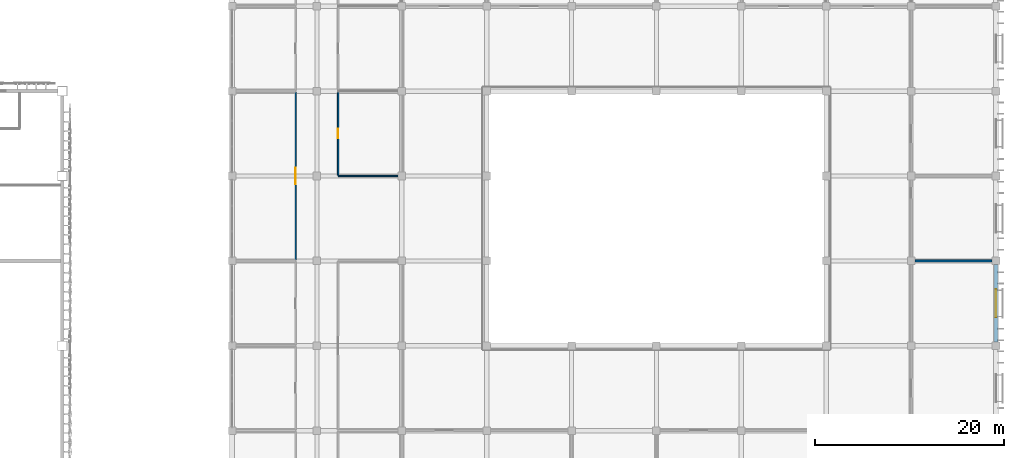
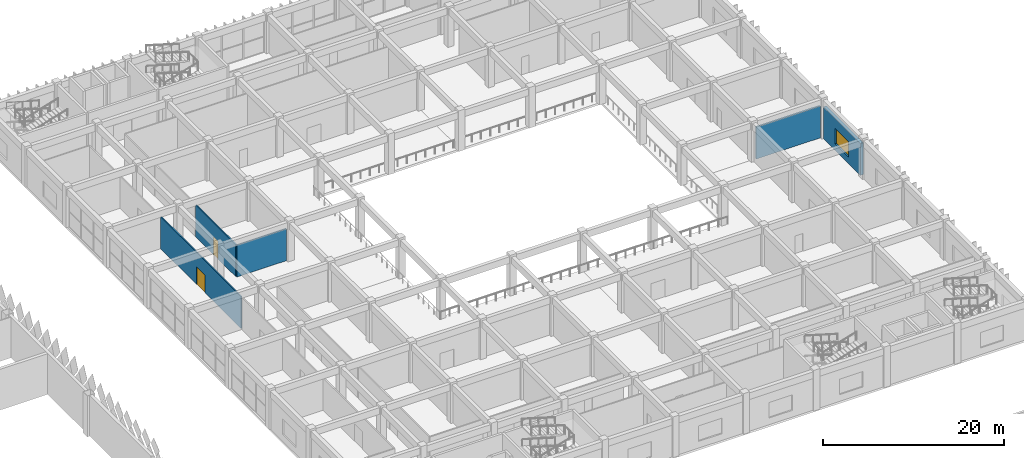
# One storey, part 125 of 185: 5 walls, 2 doors, 1 window, 3 openings.
"""IFC4 building model written with IfcOpenShell, lengths in metres."""

from ifc_helpers import new_model, si_unit, direction, frame, frame_2d, origin, place, context, subcontext, project, spatial, rectangle, extrude, material, layer, layer_set, type_object, element, fill, save


model = new_model("IFC4")

# Units and contexts
model_context = context("Model", 3, precision=1e-05, world=origin(), true_north=direction((0.0, 1.0)))
body_context = subcontext(model_context, "Body", "Model", "MODEL_VIEW")
ifc_project = project(units=[si_unit("LENGTHUNIT", "METRE"), si_unit("AREAUNIT", "SQUARE_METRE"), si_unit("VOLUMEUNIT", "CUBIC_METRE"), si_unit("PLANEANGLEUNIT", "RADIAN"), si_unit("MASSUNIT", "GRAM", prefix="KILO")], contexts=[model_context])

# Site, building, storey
site_placement = place(None, origin())
site = spatial("IfcSite", under=ifc_project, at=site_placement, CompositionType="ELEMENT")
building_placement = place(site_placement, origin())
building = spatial("IfcBuilding", under=site, at=building_placement, Name="Opaline Strait Convention Centre", CompositionType="ELEMENT")
storey_placement = place(building_placement, frame((0.0, 0.0, 6.0)))
storey = spatial("IfcBuildingStorey", under=building, at=storey_placement, Name="L01", CompositionType="ELEMENT", Elevation=6.0)

# Wall
ifc_material_1 = material(Name="Gypsum board")
ifc_layer_1 = layer(ifc_material_1, 0.050048828125)
ifc_material_2 = material(Name="Steel stud and mineral wool", Category="steel")
ifc_layer_2 = layer(ifc_material_2, 0.10009765625)
ifc_layer_3 = layer(ifc_material_1, 0.050048828125)
ifc_layer_set_1 = layer_set([ifc_layer_1, ifc_layer_2, ifc_layer_3], Name="Gypsum board, Steel stud and mineral wool, Gypsum board")
wall_type_1 = type_object("IfcWallType", Name="Acoustic partition 200 EI45", PredefinedType="PARTITIONING", material=ifc_layer_set_1)
wall_1_placement = place(storey_placement, frame((351.39990234375, 135.0, 0.0), z_axis=(0.0, 0.0, 1.0), x_axis=(1.0, 0.0, 0.0)))
element("IfcWall", 1, at=wall_1_placement, inside=storey, type_object=wall_type_1, Name="MPW5 partition Meeting Room 1.23 N", PredefinedType="PARTITIONING", context=body_context, shape_type="SweptSolid", body=[
    extrude(rectangle(XDim=8.2001953125, YDim=0.199951171875, at=frame_2d((4.10009765625, 0.0))), origin(), (0.0, 0.0, 1.0), 4.320068359375),
])

# Wall, opening, door
ifc_layer_4 = layer(ifc_material_1, 0.032470703125)
ifc_layer_5 = layer(ifc_material_2, 0.0849609375)
ifc_layer_6 = layer(ifc_material_1, 0.032470703125)
ifc_layer_set_2 = layer_set([ifc_layer_4, ifc_layer_5, ifc_layer_6], Name="Gypsum board, Steel stud and mineral wool, Gypsum board")
wall_type_2 = type_object("IfcWallType", Name="Corridor partition 150 EI60", PredefinedType="PARTITIONING", material=ifc_layer_set_2)
wall_2_placement = place(storey_placement, frame((285.75, 135.10009765625, 0.0), z_axis=(0.0, 0.0, 1.0), x_axis=(0.0, 1.0, 0.0)))
wall_2 = element("IfcWall", 2, at=wall_2_placement, inside=storey, type_object=wall_type_2, Name="MPW1 partition Meeting Room 1.04 E", PredefinedType="PARTITIONING", context=body_context, shape_type="SweptSolid", body=[
    extrude(rectangle(XDim=17.7998046875, YDim=0.14990234375, at=frame_2d((8.89990234375, 0.0))), origin(), (0.0, 0.0, 1.0), 4.320068359375),
])
opening_1_placement = place(wall_2_placement, frame((8.0, 0.0, 0.0)))
opening_1 = element("IfcOpeningElement", 3, at=opening_1_placement, cuts=wall_2, Name="Opening M1-024", PredefinedType="OPENING", context=body_context, shape_type="SweptSolid", body=[
    extrude(rectangle(XDim=1.800048828125, YDim=2.39990234375, at=frame_2d((0.89990234375, 1.199951171875))), frame((0.0, 0.0849609375, 0.0), z_axis=(0.0, -1.0, 0.0), x_axis=(1.0, 0.0, 0.0)), (0.0, 0.0, 1.0), 0.169921875),
])
ifc_material_3 = material(Name="Solid-core timber leaf, steel frame door set", Category="steel")
door_type_1 = type_object("IfcDoorType", Name="Meeting room double door FD30 1800 x 2400", OperationType="DOUBLE_DOOR_SINGLE_SWING", PredefinedType="DOOR", material=ifc_material_3)
door_1_placement = place(opening_1_placement, frame((1.800048828125, 0.0, 0.0), z_axis=(0.0, 0.0, 1.0), x_axis=(-1.0, 0.0, 0.0)))
door_1 = element("IfcDoor", 4, at=door_1_placement, inside=storey, type_object=door_type_1, Name="Door Meeting Room 1.04", ObjectType="MD7", OperationType="DOUBLE_DOOR_SINGLE_SWING", OverallHeight=2.39990234375, OverallWidth=1.800048828125, PredefinedType="DOOR", context=body_context, shape_type="SweptSolid", body=[
    extrude(rectangle(XDim=1.800048828125, YDim=2.39990234375, at=frame_2d((0.89990234375, 1.199951171875))), frame((0.0, 0.02490234375, 0.0), z_axis=(0.0, -1.0, 0.0), x_axis=(1.0, 0.0, 0.0)), (0.0, 0.0, 1.0), 0.050048828125),
])
fill(opening_1, door_1)

# Wall
wall_3_placement = place(storey_placement, frame((290.25, 144.0, 0.0), z_axis=(0.0, 0.0, 1.0), x_axis=(1.0, 0.0, 0.0)))
element("IfcWall", 5, at=wall_3_placement, inside=storey, type_object=wall_type_2, Name="MPW1 partition AV Store 1.09 S", PredefinedType="PARTITIONING", context=body_context, shape_type="SweptSolid", body=[
    extrude(rectangle(XDim=6.35009765625, YDim=0.14990234375, at=frame_2d((3.175048828125, 0.0))), origin(), (0.0, 0.0, 1.0), 4.320068359375),
])

# Wall, opening, door
wall_4_placement = place(storey_placement, frame((290.25, 144.074951171875, 0.0), z_axis=(0.0, 0.0, 1.0), x_axis=(0.0, 1.0, 0.0)))
wall_4 = element("IfcWall", 6, at=wall_4_placement, inside=storey, type_object=wall_type_2, Name="MPW1 partition AV Store 1.09 W", PredefinedType="PARTITIONING", context=body_context, shape_type="SweptSolid", body=[
    extrude(rectangle(XDim=8.875, YDim=0.14990234375, at=frame_2d((4.4375, 0.0))), origin(), (0.0, 0.0, 1.0), 4.320068359375),
])
opening_2_placement = place(wall_4_placement, frame((3.9375, 0.0, 0.0)))
opening_2 = element("IfcOpeningElement", 7, at=opening_2_placement, cuts=wall_4, Name="Opening M1-029", PredefinedType="OPENING", context=body_context, shape_type="SweptSolid", body=[
    extrude(rectangle(XDim=1.0, YDim=2.39990234375, at=frame_2d((0.5, 1.199951171875))), frame((0.0, 0.0849609375, 0.0), z_axis=(0.0, -1.0, 0.0), x_axis=(1.0, 0.0, 0.0)), (0.0, 0.0, 1.0), 0.169921875),
])
door_type_2 = type_object("IfcDoorType", Name="Meeting room door FD30 1000 x 2400", OperationType="SINGLE_SWING_LEFT", PredefinedType="DOOR", material=ifc_material_3)
door_2_placement = place(opening_2_placement, origin())
door_2 = element("IfcDoor", 8, at=door_2_placement, inside=storey, type_object=door_type_2, Name="Door AV Store 1.09", ObjectType="MD8", OperationType="SINGLE_SWING_LEFT", OverallHeight=2.39990234375, OverallWidth=1.0, PredefinedType="DOOR", context=body_context, shape_type="SweptSolid", body=[
    extrude(rectangle(XDim=1.0, YDim=2.39990234375, at=frame_2d((0.5, 1.199951171875))), frame((0.0, 0.02490234375, 0.0), z_axis=(0.0, -1.0, 0.0), x_axis=(1.0, 0.0, 0.0)), (0.0, 0.0, 1.0), 0.050048828125),
])
fill(opening_2, door_2)

# Wall, opening, window
ifc_material_4 = material(Name="Concrete C40 precast", Category="concrete")
ifc_layer_7 = layer(ifc_material_4, 0.10009765625)
ifc_material_5 = material(Name="Mineral wool insulation")
ifc_layer_8 = layer(ifc_material_5, 0.14990234375)
ifc_layer_9 = layer(ifc_material_4, 0.14990234375)
ifc_layer_set_3 = layer_set([ifc_layer_7, ifc_layer_8, ifc_layer_9], Name="Concrete C40 precast, Mineral wool insulation, Concrete C40 precast")
wall_type_3 = type_object("IfcWallType", Name="External wall 400 insulated precast EI60", PredefinedType="STANDARD", material=ifc_layer_set_3)
wall_5_placement = place(storey_placement, frame((360.0, 126.39990234375, 0.0), z_axis=(0.0, 0.0, 1.0), x_axis=(0.0, 1.0, 0.0)))
wall_5 = element("IfcWall", 9, at=wall_5_placement, inside=storey, type_object=wall_type_3, Name="External wall E L01 41/Q", PredefinedType="STANDARD", context=body_context, shape_type="SweptSolid", body=[
    extrude(rectangle(XDim=8.2001953125, YDim=0.39990234375, at=frame_2d((4.10009765625, 0.0))), origin(), (0.0, 0.0, 1.0), 4.320068359375),
])
opening_3_placement = place(wall_5_placement, frame((2.60009765625, 0.0, 0.89990234375)))
opening_3 = element("IfcOpeningElement", 10, at=opening_3_placement, cuts=wall_5, Name="Opening MW2", PredefinedType="OPENING", context=body_context, shape_type="SweptSolid", body=[
    extrude(rectangle(XDim=3.0, YDim=2.10009765625, at=frame_2d((1.5, 1.050048828125))), frame((0.0, 0.2099609375, 0.0), z_axis=(0.0, -1.0, 0.0), x_axis=(1.0, 0.0, 0.0)), (0.0, 0.0, 1.0), 0.419921875),
])
ifc_material_6 = material(Name="Aluminium framed double glazing", Category="aluminium")
window_type = type_object("IfcWindowType", Name="Window 3000 x 2100", PartitioningType="TRIPLE_PANEL_VERTICAL", PredefinedType="WINDOW", material=ifc_material_6)
window_placement = place(opening_3_placement, origin())
window = element("IfcWindow", 11, at=window_placement, inside=storey, type_object=window_type, Name="Window Meeting Room 1.23 E", OverallHeight=2.10009765625, OverallWidth=3.0, PartitioningType="TRIPLE_PANEL_VERTICAL", PredefinedType="WINDOW", context=body_context, shape_type="SweptSolid", body=[
    extrude(rectangle(XDim=3.0, YDim=2.10009765625, at=frame_2d((1.5, 1.050048828125))), frame((0.0, 0.030029296875, 0.0), z_axis=(0.0, -1.0, 0.0), x_axis=(1.0, 0.0, 0.0)), (0.0, 0.0, 1.0), 0.06005859375),
])
fill(opening_3, window)

save(model, "model.ifc")
